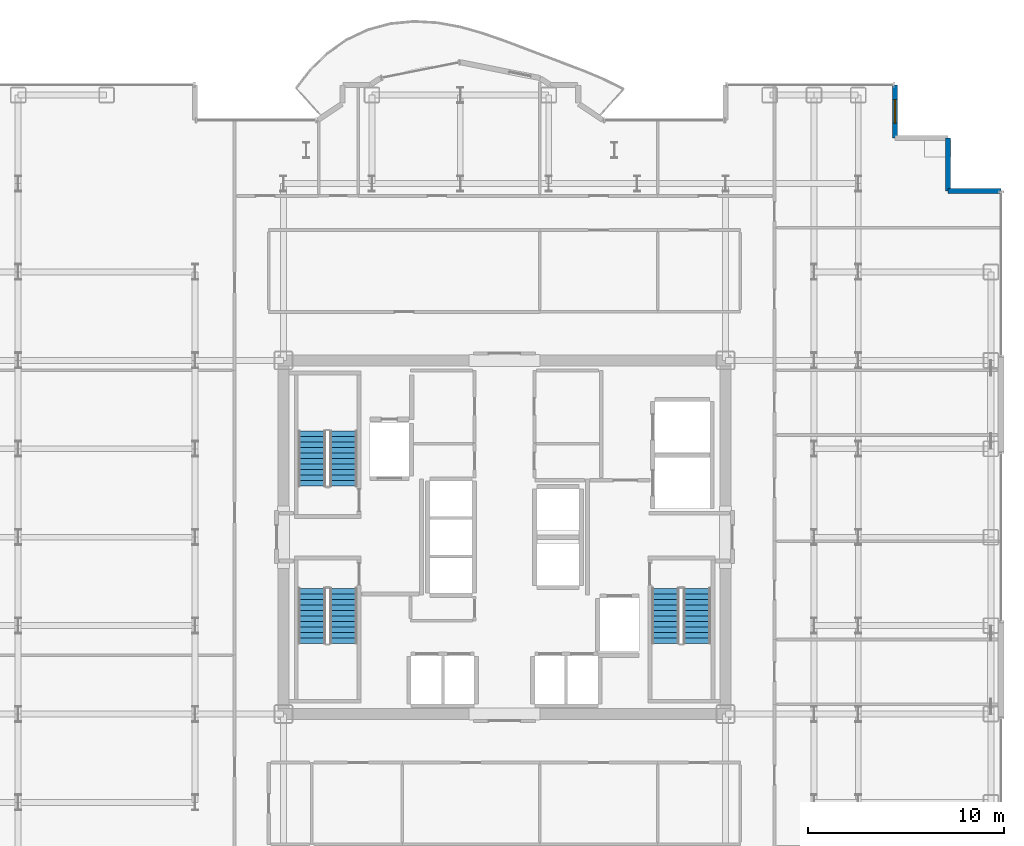
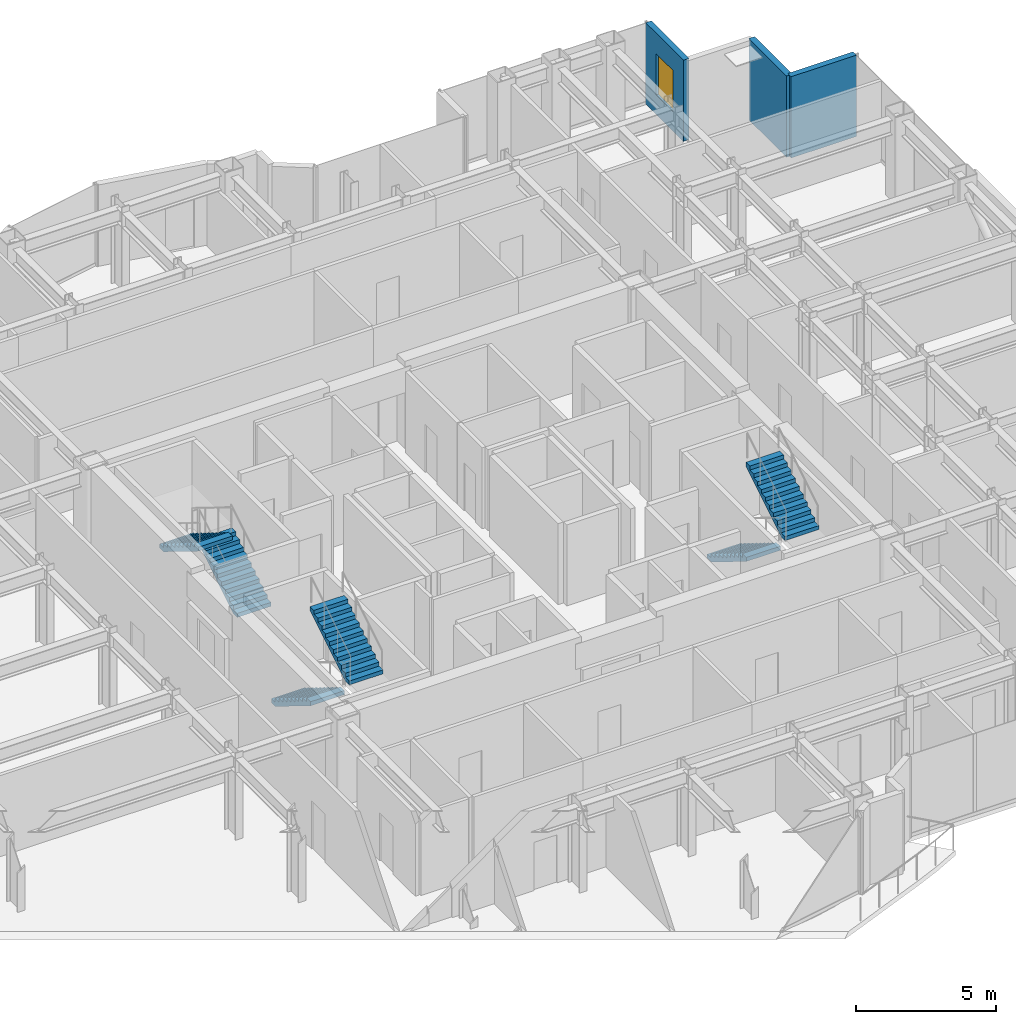
# One storey, part 24 of 26: 6 stair flights, 3 walls, 1 window, 1 opening, 3 elements without a shape of their own.
"""IFC4 building model written with IfcOpenShell, lengths in metres."""

from ifc_helpers import new_model, si_unit, direction, frame, frame_2d, origin, place, context, subcontext, project, spatial, polyline, rectangle, outline, extrude, source, transform, mapped, material, layer, layer_set, type_object, element, fill, aggregate, save


model = new_model("IFC4")

# Units and contexts
model_context = context("Model", 3, precision=1e-05, world=origin(), true_north=direction((0.0, 1.0)))
body_context = subcontext(model_context, "Body", "Model", "MODEL_VIEW")
ifc_project = project(units=[si_unit("LENGTHUNIT", "METRE"), si_unit("AREAUNIT", "SQUARE_METRE"), si_unit("VOLUMEUNIT", "CUBIC_METRE"), si_unit("PLANEANGLEUNIT", "RADIAN"), si_unit("MASSUNIT", "GRAM", prefix="KILO")], contexts=[model_context])

# Site, building, storey
site_placement = place(None, origin())
site = spatial("IfcSite", under=ifc_project, at=site_placement, CompositionType="ELEMENT")
building_placement = place(site_placement, origin())
building = spatial("IfcBuilding", under=site, at=building_placement, Name="Nefas-Gora Pilgrimage Tower", CompositionType="ELEMENT")
storey_placement = place(building_placement, frame((0.0, 0.0, 171.60009765625)))
storey = spatial("IfcBuildingStorey", under=building, at=storey_placement, Name="L42", CompositionType="ELEMENT", Elevation=171.60009765625)

# Walls
ifc_material_1 = material(Name="Precast concrete C45/55", Category="concrete")
ifc_layer = layer(ifc_material_1, 0.239990234375)
ifc_layer_set = layer_set([ifc_layer], Name="Precast concrete C45/55")
wall_type = type_object("IfcWallType", Name="EW-SERR-240", PredefinedType="SHEAR", material=ifc_layer_set)
shared_shape_1 = source(origin(), body_context, "Body", "SweptSolid", [
    extrude(rectangle(XDim=2.699951171875, YDim=0.239990234375, at=frame_2d((1.35009765625, 0.0))), origin(), (0.0, 0.0, 1.0), 3.5498046875),
])
for number, where, z_axis, x_axis, name in (
    (1, (25.27001953125, 17.6201171875, 0.0), (0.0, 0.0, 1.0), (-1.0, 0.0, 0.0), "L42 Serrated Corner Shear Pier Wall 10"),
    (2, (22.570068359375, 17.6201171875, 0.0), (0.0, 0.0, 1.0), (0.0, 1.0, 0.0), "L42 Serrated Corner Shear Pier Wall 11"),
):
    element("IfcWall", number, at=place(storey_placement, frame(where, z_axis=z_axis, x_axis=x_axis)), inside=storey, type_object=wall_type, Name=name, PredefinedType="SHEAR", context=body_context, shape_type="MappedRepresentation", body=[
        mapped(shared_shape_1, transform((0.0, 0.0, 0.0), x_axis=(1.0, 0.0, 0.0), y_axis=(0.0, 1.0, 0.0), z_axis=(0.0, 0.0, 1.0), scale=1.0)),
    ])

# Wall, opening, window
wall_placement = place(storey_placement, frame((19.8701171875, 20.320068359375, 0.0), z_axis=(0.0, 0.0, 1.0), x_axis=(0.0, 1.0, 0.0)))
wall = element("IfcWall", 3, at=wall_placement, inside=storey, type_object=wall_type, Name="L42 Serrated Corner Shear Pier Wall 13", PredefinedType="SHEAR", context=body_context, shape_type="MappedRepresentation", body=[
    mapped(shared_shape_1, transform((0.0, 0.0, 0.0), x_axis=(1.0, 0.0, 0.0), y_axis=(0.0, 1.0, 0.0), z_axis=(0.0, 0.0, 1.0), scale=1.0)),
])
opening_placement = place(wall_placement, frame((0.75, 0.0, 0.85009765625)))
opening = element("IfcOpeningElement", 4, at=opening_placement, cuts=wall, Name="Opening W-V1", PredefinedType="OPENING", context=body_context, shape_type="SweptSolid", body=[
    extrude(rectangle(XDim=1.199951171875, YDim=1.800048828125, at=frame_2d((0.60009765625, 0.89990234375))), frame((0.0, 0.1298828125, 0.0), z_axis=(0.0, -1.0, 0.0), x_axis=(1.0, 0.0, 0.0)), (0.0, 0.0, 1.0), 0.260009765625),
])
ifc_material_2 = material(Name="Dark ceramic-fritted operable aluminium-glass window", Category="aluminium")
window_type = type_object("IfcWindowType", Name="WIN-VENT-1200x1800", PartitioningType="SINGLE_PANEL", PredefinedType="WINDOW", material=ifc_material_2)
shared_shape_2 = source(origin(), body_context, "Body", "SweptSolid", [
    extrude(rectangle(XDim=1.199951171875, YDim=1.800048828125, at=frame_2d((0.60009765625, 0.89990234375))), frame((0.0, 0.030029296875, 0.0), z_axis=(0.0, -1.0, 0.0), x_axis=(1.0, 0.0, 0.0)), (0.0, 0.0, 1.0), 0.06005859375),
])
window_placement = place(opening_placement, origin())
window = element("IfcWindow", 5, at=window_placement, inside=storey, type_object=window_type, Name="L42 Operable Parallel-Outswing Window 13", OverallHeight=1.800048828125, OverallWidth=1.199951171875, PartitioningType="SINGLE_PANEL", PredefinedType="WINDOW", context=body_context, shape_type="MappedRepresentation", body=[
    mapped(shared_shape_2, transform((0.0, 0.0, 0.0), x_axis=(1.0, 0.0, 0.0), y_axis=(0.0, 1.0, 0.0), z_axis=(0.0, 0.0, 1.0), scale=1.0)),
])
fill(opening, window)

# Stair, stair flights
ifc_material_3 = material(Name="Concrete C45/55", Category="concrete")
stair_type = type_object("IfcStairType", Name="STR-1400-R1727", PredefinedType="HALF_TURN_STAIR", material=ifc_material_3)
stair_1_placement = place(storey_placement, origin())
stair_1 = element("IfcStair", 6, at=stair_1_placement, inside=storey, type_object=stair_type, Name="L42 Pressurised Tower Exit Stair ST-01", PredefinedType="HALF_TURN_STAIR")
stair_flight_type = type_object("IfcStairFlightType", Name="STF-1400-R1727", PredefinedType="STRAIGHT", material=ifc_material_3)
shared_shape_3 = source(origin(), body_context, "Body", "SweptSolid", [
    extrude(outline(polyline([(0.0, 0.0), (0.0, 0.172607421875), (0.280029296875, 0.172607421875), (0.280029296875, 0.345458984375), (0.56005859375, 0.345458984375), (0.56005859375, 0.51806640625), (0.840087890625, 0.51806640625), (0.840087890625, 0.69091796875), (1.1201171875, 0.69091796875), (1.1201171875, 0.863525390625), (1.39990234375, 0.863525390625), (1.39990234375, 1.036376953125), (1.679931640625, 1.036376953125), (1.679931640625, 1.208984375), (1.9599609375, 1.208984375), (1.9599609375, 1.3818359375), (2.239990234375, 1.3818359375), (2.239990234375, 1.554443359375), (2.52001953125, 1.554443359375), (2.52001953125, 1.727294921875), (2.800048828125, 1.727294921875), (2.800048828125, 1.89990234375), (2.800048828125, 1.551025390625), (0.285400390625, 0.0), (0.0, 0.0)])), frame((0.0, 0.699951171875, 0.0), z_axis=(0.0, -1.0, 0.0), x_axis=(1.0, 0.0, 0.0)), (0.0, 0.0, 1.0), 1.39990234375),
])
stair_flight_1_placement = place(storey_placement, frame((-8.199951171875, 2.60009765625, 0.0), z_axis=(0.0, 0.0, 1.0), x_axis=(0.0, 1.0, 0.0)))
stair_flight_1 = element("IfcStairFlight", 7, at=stair_flight_1_placement, type_object=stair_flight_type, Name="ST-01 flight 1", NumberOfRisers=11, NumberOfTreads=10, PredefinedType="STRAIGHT", RiserHeight=0.172727273, TreadLength=0.28, context=body_context, shape_type="MappedRepresentation", body=[
    mapped(shared_shape_3, transform((0.0, 0.0, 0.0), x_axis=(1.0, 0.0, 0.0), y_axis=(0.0, 1.0, 0.0), z_axis=(0.0, 0.0, 1.0), scale=1.0)),
])
stair_flight_2_placement = place(storey_placement, frame((-9.800048828125, 5.39990234375, 1.89990234375), z_axis=(0.0, 0.0, 1.0), x_axis=(0.0, -1.0, 0.0)))
stair_flight_2 = element("IfcStairFlight", 8, at=stair_flight_2_placement, type_object=stair_flight_type, Name="ST-01 flight 2", NumberOfRisers=11, NumberOfTreads=10, PredefinedType="STRAIGHT", RiserHeight=0.172727273, TreadLength=0.28, context=body_context, shape_type="MappedRepresentation", body=[
    mapped(shared_shape_3, transform((0.0, 0.0, 0.0), x_axis=(1.0, 0.0, 0.0), y_axis=(0.0, 1.0, 0.0), z_axis=(0.0, 0.0, 1.0), scale=1.0)),
])
aggregate(stair_1, [stair_flight_1, stair_flight_2])

stair_2_placement = place(storey_placement, origin())
stair_2 = element("IfcStair", 9, at=stair_2_placement, inside=storey, type_object=stair_type, Name="L42 Pressurised Tower Exit Stair ST-02", PredefinedType="HALF_TURN_STAIR")
stair_flight_3_placement = place(storey_placement, frame((8.199951171875, -2.60009765625, 0.0), z_axis=(0.0, 0.0, 1.0), x_axis=(0.0, -1.0, 0.0)))
stair_flight_3 = element("IfcStairFlight", 10, at=stair_flight_3_placement, type_object=stair_flight_type, Name="ST-02 flight 1", NumberOfRisers=11, NumberOfTreads=10, PredefinedType="STRAIGHT", RiserHeight=0.172727273, TreadLength=0.28, context=body_context, shape_type="MappedRepresentation", body=[
    mapped(shared_shape_3, transform((0.0, 0.0, 0.0), x_axis=(1.0, 0.0, 0.0), y_axis=(0.0, 1.0, 0.0), z_axis=(0.0, 0.0, 1.0), scale=1.0)),
])
stair_flight_4_placement = place(storey_placement, frame((9.800048828125, -5.39990234375, 1.89990234375), z_axis=(0.0, 0.0, 1.0), x_axis=(0.0, 1.0, 0.0)))
stair_flight_4 = element("IfcStairFlight", 11, at=stair_flight_4_placement, type_object=stair_flight_type, Name="ST-02 flight 2", NumberOfRisers=11, NumberOfTreads=10, PredefinedType="STRAIGHT", RiserHeight=0.172727273, TreadLength=0.28, context=body_context, shape_type="MappedRepresentation", body=[
    mapped(shared_shape_3, transform((0.0, 0.0, 0.0), x_axis=(1.0, 0.0, 0.0), y_axis=(0.0, 1.0, 0.0), z_axis=(0.0, 0.0, 1.0), scale=1.0)),
])
aggregate(stair_2, [stair_flight_3, stair_flight_4])

stair_3_placement = place(storey_placement, origin())
stair_3 = element("IfcStair", 12, at=stair_3_placement, inside=storey, type_object=stair_type, Name="L42 Pressurised Tower Exit Stair ST-03", PredefinedType="HALF_TURN_STAIR")
stair_flight_5_placement = place(storey_placement, frame((-9.800048828125, -2.60009765625, 0.0), z_axis=(0.0, 0.0, 1.0), x_axis=(0.0, -1.0, 0.0)))
stair_flight_5 = element("IfcStairFlight", 13, at=stair_flight_5_placement, type_object=stair_flight_type, Name="ST-03 flight 1", NumberOfRisers=11, NumberOfTreads=10, PredefinedType="STRAIGHT", RiserHeight=0.172727273, TreadLength=0.28, context=body_context, shape_type="MappedRepresentation", body=[
    mapped(shared_shape_3, transform((0.0, 0.0, 0.0), x_axis=(1.0, 0.0, 0.0), y_axis=(0.0, 1.0, 0.0), z_axis=(0.0, 0.0, 1.0), scale=1.0)),
])
stair_flight_6_placement = place(storey_placement, frame((-8.199951171875, -5.39990234375, 1.89990234375), z_axis=(0.0, 0.0, 1.0), x_axis=(0.0, 1.0, 0.0)))
stair_flight_6 = element("IfcStairFlight", 14, at=stair_flight_6_placement, type_object=stair_flight_type, Name="ST-03 flight 2", NumberOfRisers=11, NumberOfTreads=10, PredefinedType="STRAIGHT", RiserHeight=0.172727273, TreadLength=0.28, context=body_context, shape_type="MappedRepresentation", body=[
    mapped(shared_shape_3, transform((0.0, 0.0, 0.0), x_axis=(1.0, 0.0, 0.0), y_axis=(0.0, 1.0, 0.0), z_axis=(0.0, 0.0, 1.0), scale=1.0)),
])
aggregate(stair_3, [stair_flight_5, stair_flight_6])

save(model, "model.ifc")
